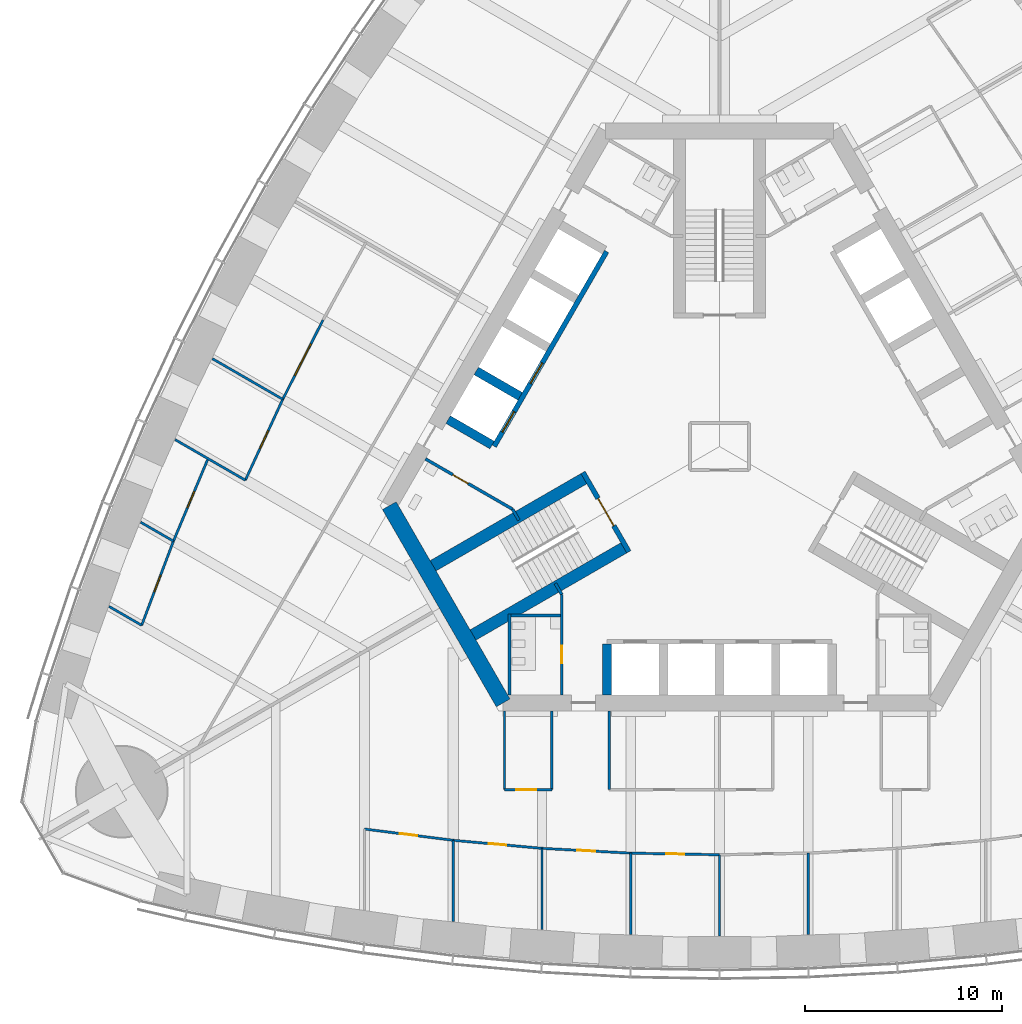
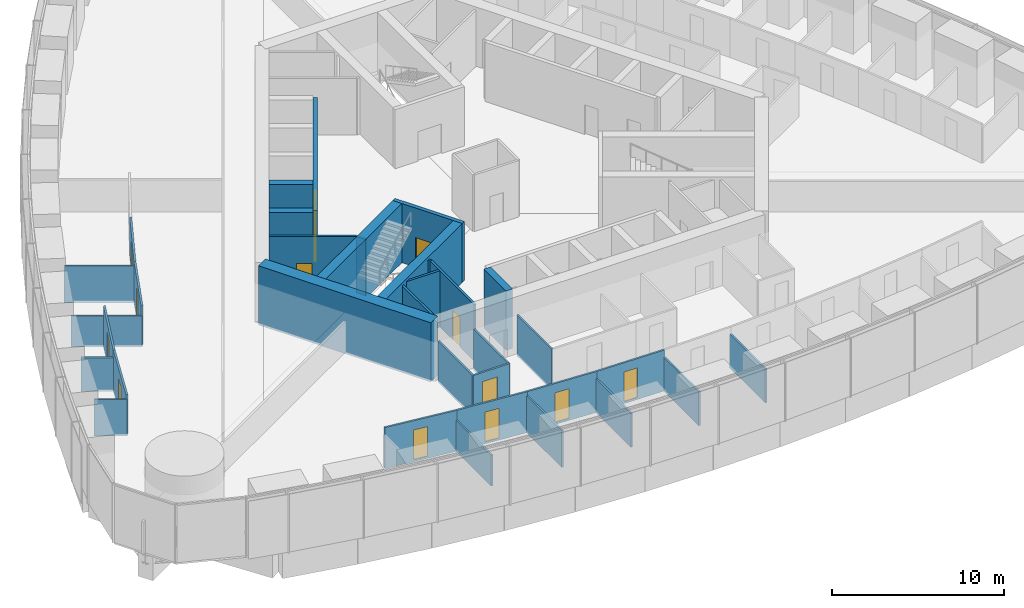
# One storey, part 11 of 20: 35 walls, 14 doors, 14 openings.
"""IFC4 building model written with IfcOpenShell, lengths in metres."""

from ifc_helpers import new_model, si_unit, direction, frame, frame_2d, origin, place, context, subcontext, project, spatial, rectangle, extrude, material, layer, layer_set, type_object, element, fill, save


model = new_model("IFC4")

# Units and contexts
model_context = context("Model", 3, precision=1e-05, world=origin(), true_north=direction((0.0, 1.0)))
body_context = subcontext(model_context, "Body", "Model", "MODEL_VIEW")
ifc_project = project(units=[si_unit("LENGTHUNIT", "METRE"), si_unit("AREAUNIT", "SQUARE_METRE"), si_unit("VOLUMEUNIT", "CUBIC_METRE"), si_unit("PLANEANGLEUNIT", "RADIAN"), si_unit("MASSUNIT", "GRAM", prefix="KILO")], contexts=[model_context])

# Site, building, storey
site_placement = place(None, origin())
site = spatial("IfcSite", under=ifc_project, at=site_placement, CompositionType="ELEMENT")
building_placement = place(site_placement, origin())
building = spatial("IfcBuilding", under=site, at=building_placement, Name="Trefoil Bronze Tower", CompositionType="ELEMENT")
storey_placement = place(building_placement, frame((0.0, 0.0, 103.10009765625)))
storey = spatial("IfcBuildingStorey", under=building, at=storey_placement, Name="L23", CompositionType="ELEMENT", Elevation=103.10009765625)

# Wall
ifc_material_1 = material(Name="Concrete B80", Category="concrete")
ifc_layer_1 = layer(ifc_material_1, 0.800048828125)
ifc_layer_set_1 = layer_set([ifc_layer_1], Name="Core wall 800")
wall_type_1 = type_object("IfcWallType", Name="Core wall 800", PredefinedType="SHEAR", material=ifc_layer_set_1)
wall_1_placement = place(storey_placement, frame((-16.7431640625, -3.0, 0.0), z_axis=(0.0, 0.0, 1.0), x_axis=(0.499995765644, -0.866027848477, 0.0)))
element("IfcWall", 1, at=wall_1_placement, inside=storey, type_object=wall_type_1, Name="Core short wall 3 L23", PredefinedType="SHEAR", context=body_context, shape_type="SweptSolid", body=[
    extrude(rectangle(XDim=11.546875, YDim=0.800048828125, at=frame_2d((5.7734375, 0.0))), origin(), (0.0, 0.0, 1.0), 4.199951171875),
])

# Wall, opening, door
ifc_material_2 = material(Name="Glazed partition", Category="glass")
ifc_layer_2 = layer(ifc_material_2, 0.1201171875)
ifc_layer_set_2 = layer_set([ifc_layer_2], Name="Glazed partition 120")
wall_type_2 = type_object("IfcWallType", Name="Glazed partition 120", PredefinedType="PARTITIONING", material=ifc_layer_set_2)
wall_2_placement = place(storey_placement, frame((-10.89990234375, -17.39990234375, 0.0), z_axis=(0.0, 0.0, 1.0), x_axis=(1.0, 0.0, 0.0)))
wall_2 = element("IfcWall", 2, at=wall_2_placement, inside=storey, type_object=wall_type_2, Name="Partition F1 L23", PredefinedType="PARTITIONING", context=body_context, shape_type="SweptSolid", body=[
    extrude(rectangle(XDim=2.39990234375, YDim=0.1201171875, at=frame_2d((1.199951171875, 0.0))), origin(), (0.0, 0.0, 1.0), 2.89990234375),
])
opening_1_placement = place(wall_2_placement, frame((0.60009765625, 0.0, 0.14990234375)))
opening_1 = element("IfcOpeningElement", 3, at=opening_1_placement, cuts=wall_2, Name="Opening D9", PredefinedType="OPENING", context=body_context, shape_type="SweptSolid", body=[
    extrude(rectangle(XDim=1.0, YDim=2.10009765625, at=frame_2d((0.5, 1.050048828125))), frame((0.0, 0.070068359375, 0.0), z_axis=(0.0, -1.0, 0.0), x_axis=(1.0, 0.0, 0.0)), (0.0, 0.0, 1.0), 0.14013671875),
])
ifc_material_3 = material(Name="Glazed timber door", Category="wood")
door_type_1 = type_object("IfcDoorType", Name="Meeting room door 1000", OperationType="SINGLE_SWING_LEFT", PredefinedType="DOOR", material=ifc_material_3)
door_1_placement = place(opening_1_placement, origin())
door_1 = element("IfcDoor", 4, at=door_1_placement, inside=storey, type_object=door_type_1, Name="Team room door F1 L23", OperationType="SINGLE_SWING_LEFT", OverallHeight=2.10009765625, OverallWidth=1.0, PredefinedType="DOOR", context=body_context, shape_type="SweptSolid", body=[
    extrude(rectangle(XDim=1.0, YDim=2.10009765625, at=frame_2d((0.5, 1.050048828125))), frame((0.0, 0.02490234375, 0.0), z_axis=(0.0, -1.0, 0.0), x_axis=(1.0, 0.0, 0.0)), (0.0, 0.0, 1.0), 0.050048828125),
])
fill(opening_1, door_1)

# Walls
for number, where, z_axis, x_axis, name in (
    (5, (-10.89990234375, -13.39990234375, 0.0), (0.0, 0.0, 1.0), (0.0, -1.0, 0.0), "Partition F1 L23"),
    (6, (-5.60009765625, -13.39990234375, 0.0), (0.0, 0.0, 1.0), (0.0, -1.0, 0.0), "Partition F1 L23"),
    (7, (-8.5, -13.39990234375, 0.0), (0.0, 0.0, 1.0), (0.0, -1.0, 0.0), "Partition F1 L23"),
):
    element("IfcWall", number, at=place(storey_placement, frame(where, z_axis=z_axis, x_axis=x_axis)), inside=storey, type_object=wall_type_2, Name=name, PredefinedType="PARTITIONING", context=body_context, shape_type="SweptSolid", body=[
        extrude(rectangle(XDim=4.0, YDim=0.1201171875, at=frame_2d((2.0, 0.0))), origin(), (0.0, 0.0, 1.0), 2.89990234375),
    ])

# Wall, opening, door
wall_3_placement = place(storey_placement, frame((-13.5, -19.9677734375, 0.0), z_axis=(0.0, 0.0, 1.0), x_axis=(0.995930325215, -0.090126507295, 0.0)))
wall_3 = element("IfcWall", 8, at=wall_3_placement, inside=storey, type_object=wall_type_2, Name="Partition F1 L23", PredefinedType="PARTITIONING", context=body_context, shape_type="SweptSolid", body=[
    extrude(rectangle(XDim=4.518310546875, YDim=0.1201171875, at=frame_2d((2.25927734375, 0.0))), origin(), (0.0, 0.0, 1.0), 2.89990234375),
])
opening_2_placement = place(wall_3_placement, frame((1.800048828125, 0.0, 0.14990234375)))
opening_2 = element("IfcOpeningElement", 9, at=opening_2_placement, cuts=wall_3, Name="Opening D8", PredefinedType="OPENING", context=body_context, shape_type="SweptSolid", body=[
    extrude(rectangle(XDim=0.89990234375, YDim=2.10009765625, at=frame_2d((0.449951171875, 1.050048828125))), frame((0.0, 0.070068359375, 0.0), z_axis=(0.0, -1.0, 0.0), x_axis=(1.0, 0.0, 0.0)), (0.0, 0.0, 1.0), 0.14013671875),
])
ifc_material_4 = material(Name="Timber door", Category="wood")
door_type_2 = type_object("IfcDoorType", Name="Office door 900", OperationType="SINGLE_SWING_LEFT", PredefinedType="DOOR", material=ifc_material_4)
door_2_placement = place(opening_2_placement, frame((0.89990234375, 0.0, 0.0), z_axis=(0.0, 0.0, 1.0), x_axis=(-1.0, 0.0, 0.0)))
door_2 = element("IfcDoor", 10, at=door_2_placement, inside=storey, type_object=door_type_2, Name="Office door F1 L23", OperationType="SINGLE_SWING_RIGHT", OverallHeight=2.10009765625, OverallWidth=0.89990234375, PredefinedType="DOOR", context=body_context, shape_type="SweptSolid", body=[
    extrude(rectangle(XDim=0.89990234375, YDim=2.10009765625, at=frame_2d((0.449951171875, 1.050048828125))), frame((0.0, 0.02490234375, 0.0), z_axis=(0.0, -1.0, 0.0), x_axis=(1.0, 0.0, 0.0)), (0.0, 0.0, 1.0), 0.050048828125),
])
fill(opening_2, door_2)

wall_4_placement = place(storey_placement, frame((-18.0, -19.3955078125, 0.0), z_axis=(0.0, 0.0, 1.0), x_axis=(0.992010652594, -0.12615413247, 0.0)))
wall_4 = element("IfcWall", 11, at=wall_4_placement, inside=storey, type_object=wall_type_2, Name="Partition F1 L23", PredefinedType="PARTITIONING", context=body_context, shape_type="SweptSolid", body=[
    extrude(rectangle(XDim=4.5361328125, YDim=0.1201171875, at=frame_2d((2.26806640625, 0.0))), origin(), (0.0, 0.0, 1.0), 2.89990234375),
])
opening_3_placement = place(wall_4_placement, frame((1.800048828125, 0.0, 0.14990234375)))
opening_3 = element("IfcOpeningElement", 12, at=opening_3_placement, cuts=wall_4, Name="Opening D8", PredefinedType="OPENING", context=body_context, shape_type="SweptSolid", body=[
    extrude(rectangle(XDim=0.89990234375, YDim=2.10009765625, at=frame_2d((0.449951171875, 1.050048828125))), frame((0.0, 0.070068359375, 0.0), z_axis=(0.0, -1.0, 0.0), x_axis=(1.0, 0.0, 0.0)), (0.0, 0.0, 1.0), 0.14013671875),
])
door_3_placement = place(opening_3_placement, frame((0.89990234375, 0.0, 0.0), z_axis=(0.0, 0.0, 1.0), x_axis=(-1.0, 0.0, 0.0)))
door_3 = element("IfcDoor", 13, at=door_3_placement, inside=storey, type_object=door_type_2, Name="Office door F1 L23", OperationType="SINGLE_SWING_RIGHT", OverallHeight=2.10009765625, OverallWidth=0.89990234375, PredefinedType="DOOR", context=body_context, shape_type="SweptSolid", body=[
    extrude(rectangle(XDim=0.89990234375, YDim=2.10009765625, at=frame_2d((0.449951171875, 1.050048828125))), frame((0.0, 0.02490234375, 0.0), z_axis=(0.0, -1.0, 0.0), x_axis=(1.0, 0.0, 0.0)), (0.0, 0.0, 1.0), 0.050048828125),
])
fill(opening_3, door_3)

wall_5_placement = place(storey_placement, frame((-4.5, -20.61865234375, 0.0), z_axis=(0.0, 0.0, 1.0), x_axis=(0.999837820638, -0.018009231578, 0.0)))
wall_5 = element("IfcWall", 14, at=wall_5_placement, inside=storey, type_object=wall_type_2, Name="Partition F1 L23", PredefinedType="PARTITIONING", context=body_context, shape_type="SweptSolid", body=[
    extrude(rectangle(XDim=4.500732421875, YDim=0.1201171875, at=frame_2d((2.25048828125, 0.0))), origin(), (0.0, 0.0, 1.0), 2.89990234375),
])
opening_4_placement = place(wall_5_placement, frame((1.800048828125, 0.0, 0.14990234375)))
opening_4 = element("IfcOpeningElement", 15, at=opening_4_placement, cuts=wall_5, Name="Opening D8", PredefinedType="OPENING", context=body_context, shape_type="SweptSolid", body=[
    extrude(rectangle(XDim=0.89990234375, YDim=2.10009765625, at=frame_2d((0.449951171875, 1.050048828125))), frame((0.0, 0.070068359375, 0.0), z_axis=(0.0, -1.0, 0.0), x_axis=(1.0, 0.0, 0.0)), (0.0, 0.0, 1.0), 0.14013671875),
])
door_4_placement = place(opening_4_placement, frame((0.89990234375, 0.0, 0.0), z_axis=(0.0, 0.0, 1.0), x_axis=(-1.0, 0.0, 0.0)))
door_4 = element("IfcDoor", 16, at=door_4_placement, inside=storey, type_object=door_type_2, Name="Office door F1 L23", OperationType="SINGLE_SWING_RIGHT", OverallHeight=2.10009765625, OverallWidth=0.89990234375, PredefinedType="DOOR", context=body_context, shape_type="SweptSolid", body=[
    extrude(rectangle(XDim=0.89990234375, YDim=2.10009765625, at=frame_2d((0.449951171875, 1.050048828125))), frame((0.0, 0.02490234375, 0.0), z_axis=(0.0, -1.0, 0.0), x_axis=(1.0, 0.0, 0.0)), (0.0, 0.0, 1.0), 0.050048828125),
])
fill(opening_4, door_4)

wall_6_placement = place(storey_placement, frame((-9.0, -20.375, 0.0), z_axis=(0.0, 0.0, 1.0), x_axis=(0.998537376538, -0.054065771581, 0.0)))
wall_6 = element("IfcWall", 17, at=wall_6_placement, inside=storey, type_object=wall_type_2, Name="Partition F1 L23", PredefinedType="PARTITIONING", context=body_context, shape_type="SweptSolid", body=[
    extrude(rectangle(XDim=4.506591796875, YDim=0.1201171875, at=frame_2d((2.25341796875, 0.0))), origin(), (0.0, 0.0, 1.0), 2.89990234375),
])
opening_5_placement = place(wall_6_placement, frame((1.800048828125, 0.0, 0.14990234375)))
opening_5 = element("IfcOpeningElement", 18, at=opening_5_placement, cuts=wall_6, Name="Opening D8", PredefinedType="OPENING", context=body_context, shape_type="SweptSolid", body=[
    extrude(rectangle(XDim=0.89990234375, YDim=2.10009765625, at=frame_2d((0.449951171875, 1.050048828125))), frame((0.0, 0.070068359375, 0.0), z_axis=(0.0, -1.0, 0.0), x_axis=(1.0, 0.0, 0.0)), (0.0, 0.0, 1.0), 0.14013671875),
])
door_5_placement = place(opening_5_placement, frame((0.89990234375, 0.0, 0.0), z_axis=(0.0, 0.0, 1.0), x_axis=(-1.0, 0.0, 0.0)))
door_5 = element("IfcDoor", 19, at=door_5_placement, inside=storey, type_object=door_type_2, Name="Office door F1 L23", OperationType="SINGLE_SWING_RIGHT", OverallHeight=2.10009765625, OverallWidth=0.89990234375, PredefinedType="DOOR", context=body_context, shape_type="SweptSolid", body=[
    extrude(rectangle(XDim=0.89990234375, YDim=2.10009765625, at=frame_2d((0.449951171875, 1.050048828125))), frame((0.0, 0.02490234375, 0.0), z_axis=(0.0, -1.0, 0.0), x_axis=(1.0, 0.0, 0.0)), (0.0, 0.0, 1.0), 0.050048828125),
])
fill(opening_5, door_5)

# Walls
wall_7_placement = place(storey_placement, frame((0.0, -20.69970703125, 0.0), z_axis=(0.0, 0.0, 1.0), x_axis=(0.0, -1.0, 0.0)))
element("IfcWall", 20, at=wall_7_placement, inside=storey, type_object=wall_type_2, Name="Partition F1 L23", PredefinedType="PARTITIONING", context=body_context, shape_type="SweptSolid", body=[
    extrude(rectangle(XDim=4.119873046875, YDim=0.1201171875, at=frame_2d((2.06005859375, 0.0))), origin(), (0.0, 0.0, 1.0), 2.39990234375),
])
wall_8_placement = place(storey_placement, frame((4.5, -20.61865234375, 0.0), z_axis=(0.0, 0.0, 1.0), x_axis=(0.0, -1.0, 0.0)))
element("IfcWall", 21, at=wall_8_placement, inside=storey, type_object=wall_type_2, Name="Partition F1 L23", PredefinedType="PARTITIONING", context=body_context, shape_type="SweptSolid", body=[
    extrude(rectangle(XDim=4.118896484375, YDim=0.1201171875, at=frame_2d((2.0595703125, 0.0))), origin(), (0.0, 0.0, 1.0), 2.39990234375),
])
wall_9_placement = place(storey_placement, frame((-13.5, -19.9677734375, 0.0), z_axis=(0.0, 0.0, 1.0), x_axis=(0.0, -1.0, 0.0)))
element("IfcWall", 22, at=wall_9_placement, inside=storey, type_object=wall_type_2, Name="Partition F1 L23", PredefinedType="PARTITIONING", context=body_context, shape_type="SweptSolid", body=[
    extrude(rectangle(XDim=4.1103515625, YDim=0.1201171875, at=frame_2d((2.05517578125, 0.0))), origin(), (0.0, 0.0, 1.0), 2.199951171875),
])
wall_10_placement = place(storey_placement, frame((-4.5, -20.61865234375, 0.0), z_axis=(0.0, 0.0, 1.0), x_axis=(0.0, -1.0, 0.0)))
element("IfcWall", 23, at=wall_10_placement, inside=storey, type_object=wall_type_2, Name="Partition F1 L23", PredefinedType="PARTITIONING", context=body_context, shape_type="SweptSolid", body=[
    extrude(rectangle(XDim=4.118896484375, YDim=0.1201171875, at=frame_2d((2.0595703125, 0.0))), origin(), (0.0, 0.0, 1.0), 2.39990234375),
])
wall_11_placement = place(storey_placement, frame((-9.0, -20.375, 0.0), z_axis=(0.0, 0.0, 1.0), x_axis=(0.0, -1.0, 0.0)))
element("IfcWall", 24, at=wall_11_placement, inside=storey, type_object=wall_type_2, Name="Partition F1 L23", PredefinedType="PARTITIONING", context=body_context, shape_type="SweptSolid", body=[
    extrude(rectangle(XDim=4.11572265625, YDim=0.1201171875, at=frame_2d((2.057861328125, 0.0))), origin(), (0.0, 0.0, 1.0), 2.599853515625),
])

# Wall, opening, door
wall_12_placement = place(storey_placement, frame((-25.934814453125, -0.614990234375, 0.0), z_axis=(0.0, 0.0, 1.0), x_axis=(-0.386762112496, -0.922179520667, 0.0)))
wall_12 = element("IfcWall", 25, at=wall_12_placement, inside=storey, type_object=wall_type_2, Name="Partition F3 L23", PredefinedType="PARTITIONING", context=body_context, shape_type="SweptSolid", body=[
    extrude(rectangle(XDim=4.5361328125, YDim=0.1201171875, at=frame_2d((2.26806640625, 0.0))), origin(), (0.0, 0.0, 1.0), 2.89990234375),
])
opening_6_placement = place(wall_12_placement, frame((1.800048828125, 0.0, 0.14990234375)))
opening_6 = element("IfcOpeningElement", 26, at=opening_6_placement, cuts=wall_12, Name="Opening D8", PredefinedType="OPENING", context=body_context, shape_type="SweptSolid", body=[
    extrude(rectangle(XDim=0.89990234375, YDim=2.10009765625, at=frame_2d((0.449951171875, 1.050048828125))), frame((0.0, 0.070068359375, 0.0), z_axis=(0.0, -1.0, 0.0), x_axis=(1.0, 0.0, 0.0)), (0.0, 0.0, 1.0), 0.14013671875),
])
door_6_placement = place(opening_6_placement, frame((0.89990234375, 0.0, 0.0), z_axis=(0.0, 0.0, 1.0), x_axis=(-1.0, 0.0, 0.0)))
door_6 = element("IfcDoor", 27, at=door_6_placement, inside=storey, type_object=door_type_2, Name="Print and store room door F3 L23", OperationType="SINGLE_SWING_RIGHT", OverallHeight=2.10009765625, OverallWidth=0.89990234375, PredefinedType="DOOR", context=body_context, shape_type="SweptSolid", body=[
    extrude(rectangle(XDim=0.89990234375, YDim=2.10009765625, at=frame_2d((0.449951171875, 1.050048828125))), frame((0.0, 0.02490234375, 0.0), z_axis=(0.0, -1.0, 0.0), x_axis=(1.0, 0.0, 0.0)), (0.0, 0.0, 1.0), 0.050048828125),
])
fill(opening_6, door_6)

wall_13_placement = place(storey_placement, frame((-27.689208984375, -4.798095703125, 0.0), z_axis=(0.0, 0.0, 1.0), x_axis=(-0.352941426142, -0.935645418795, 0.0)))
wall_13 = element("IfcWall", 28, at=wall_13_placement, inside=storey, type_object=wall_type_2, Name="Partition F3 L23", PredefinedType="PARTITIONING", context=body_context, shape_type="SweptSolid", body=[
    extrude(rectangle(XDim=4.560546875, YDim=0.1201171875, at=frame_2d((2.2802734375, 0.0))), origin(), (0.0, 0.0, 1.0), 2.89990234375),
])
opening_7_placement = place(wall_13_placement, frame((1.85009765625, 0.0, 0.14990234375)))
opening_7 = element("IfcOpeningElement", 29, at=opening_7_placement, cuts=wall_13, Name="Opening D8", PredefinedType="OPENING", context=body_context, shape_type="SweptSolid", body=[
    extrude(rectangle(XDim=0.89990234375, YDim=2.10009765625, at=frame_2d((0.449951171875, 1.050048828125))), frame((0.0, 0.070068359375, 0.0), z_axis=(0.0, -1.0, 0.0), x_axis=(1.0, 0.0, 0.0)), (0.0, 0.0, 1.0), 0.14013671875),
])
door_7_placement = place(opening_7_placement, frame((0.89990234375, 0.0, 0.0), z_axis=(0.0, 0.0, 1.0), x_axis=(-1.0, 0.0, 0.0)))
door_7 = element("IfcDoor", 30, at=door_7_placement, inside=storey, type_object=door_type_2, Name="Comms room door F3 L23", OperationType="SINGLE_SWING_LEFT", OverallHeight=2.10009765625, OverallWidth=0.89990234375, PredefinedType="DOOR", context=body_context, shape_type="SweptSolid", body=[
    extrude(rectangle(XDim=0.89990234375, YDim=2.10009765625, at=frame_2d((0.449951171875, 1.050048828125))), frame((0.0, 0.02490234375, 0.0), z_axis=(0.0, -1.0, 0.0), x_axis=(1.0, 0.0, 0.0)), (0.0, 0.0, 1.0), 0.050048828125),
])
fill(opening_7, door_7)

wall_14_placement = place(storey_placement, frame((-20.106201171875, 6.412109375, 0.0), z_axis=(0.0, 0.0, 1.0), x_axis=(-0.452471679136, -0.891778772779, 0.0)))
wall_14 = element("IfcWall", 31, at=wall_14_placement, inside=storey, type_object=wall_type_2, Name="Partition F3 L23", PredefinedType="PARTITIONING", context=body_context, shape_type="SweptSolid", body=[
    extrude(rectangle(XDim=4.506591796875, YDim=0.1201171875, at=frame_2d((2.25341796875, 0.0))), origin(), (0.0, 0.0, 1.0), 2.89990234375),
])
opening_8_placement = place(wall_14_placement, frame((1.35009765625, 0.0, 0.14990234375)))
opening_8 = element("IfcOpeningElement", 32, at=opening_8_placement, cuts=wall_14, Name="Opening D10", PredefinedType="OPENING", context=body_context, shape_type="SweptSolid", body=[
    extrude(rectangle(XDim=1.800048828125, YDim=2.10009765625, at=frame_2d((0.89990234375, 1.050048828125))), frame((0.0, 0.070068359375, 0.0), z_axis=(0.0, -1.0, 0.0), x_axis=(1.0, 0.0, 0.0)), (0.0, 0.0, 1.0), 0.14013671875),
])
ifc_material_5 = material(Name="Timber door", Category="wood")
door_type_3 = type_object("IfcDoorType", Name="Double door 1800", OperationType="DOUBLE_DOOR_SINGLE_SWING", PredefinedType="DOOR", material=ifc_material_5)
door_8_placement = place(opening_8_placement, frame((1.800048828125, 0.0, 0.0), z_axis=(0.0, 0.0, 1.0), x_axis=(-1.0, 0.0, 0.0)))
door_8 = element("IfcDoor", 33, at=door_8_placement, inside=storey, type_object=door_type_3, Name="Library door F3 L23", OperationType="DOUBLE_DOOR_SINGLE_SWING", OverallHeight=2.10009765625, OverallWidth=1.800048828125, PredefinedType="DOOR", context=body_context, shape_type="SweptSolid", body=[
    extrude(rectangle(XDim=1.800048828125, YDim=2.10009765625, at=frame_2d((0.89990234375, 1.050048828125))), frame((0.0, 0.02490234375, 0.0), z_axis=(0.0, -1.0, 0.0), x_axis=(1.0, 0.0, 0.0)), (0.0, 0.0, 1.0), 0.050048828125),
])
fill(opening_8, door_8)

wall_15_placement = place(storey_placement, frame((-22.145263671875, 2.393310546875, 0.0), z_axis=(0.0, 0.0, 1.0), x_axis=(-0.41992827805, -0.90755729367, 0.0)))
wall_15 = element("IfcWall", 34, at=wall_15_placement, inside=storey, type_object=wall_type_2, Name="Partition F3 L23", PredefinedType="PARTITIONING", context=body_context, shape_type="SweptSolid", body=[
    extrude(rectangle(XDim=4.5185546875, YDim=0.1201171875, at=frame_2d((2.25927734375, 0.0))), origin(), (0.0, 0.0, 1.0), 2.89990234375),
])
opening_9_placement = place(wall_15_placement, frame((1.75, 0.0, 0.14990234375)))
opening_9 = element("IfcOpeningElement", 35, at=opening_9_placement, cuts=wall_15, Name="Opening D9", PredefinedType="OPENING", context=body_context, shape_type="SweptSolid", body=[
    extrude(rectangle(XDim=1.0, YDim=2.10009765625, at=frame_2d((0.5, 1.050048828125))), frame((0.0, 0.070068359375, 0.0), z_axis=(0.0, -1.0, 0.0), x_axis=(1.0, 0.0, 0.0)), (0.0, 0.0, 1.0), 0.14013671875),
])
door_9_placement = place(opening_9_placement, frame((1.0, 0.0, 0.0), z_axis=(0.0, 0.0, 1.0), x_axis=(-1.0, 0.0, 0.0)))
door_9 = element("IfcDoor", 36, at=door_9_placement, inside=storey, type_object=door_type_1, Name="Meeting room door F3 L23", OperationType="SINGLE_SWING_RIGHT", OverallHeight=2.10009765625, OverallWidth=1.0, PredefinedType="DOOR", context=body_context, shape_type="SweptSolid", body=[
    extrude(rectangle(XDim=1.0, YDim=2.10009765625, at=frame_2d((0.5, 1.050048828125))), frame((0.0, 0.02490234375, 0.0), z_axis=(0.0, -1.0, 0.0), x_axis=(1.0, 0.0, 0.0)), (0.0, 0.0, 1.0), 0.050048828125),
])
fill(opening_9, door_9)

# Walls
wall_16_placement = place(storey_placement, frame((-24.042724609375, -1.70751953125, 0.0), z_axis=(0.0, 0.0, 1.0), x_axis=(-0.866019409031, 0.500010383074, 0.0)))
element("IfcWall", 37, at=wall_16_placement, inside=storey, type_object=wall_type_2, Name="Partition F3 L23", PredefinedType="PARTITIONING", context=body_context, shape_type="SweptSolid", body=[
    extrude(rectangle(XDim=4.1103515625, YDim=0.1201171875, at=frame_2d((2.05517578125, 0.0))), origin(), (0.0, 0.0, 1.0), 2.199951171875),
])
wall_17_placement = place(storey_placement, frame((-27.689208984375, -4.798095703125, 0.0), z_axis=(0.0, 0.0, 1.0), x_axis=(-0.866041454758, 0.499972197867, 0.0)))
element("IfcWall", 38, at=wall_17_placement, inside=storey, type_object=wall_type_2, Name="Partition F3 L23", PredefinedType="PARTITIONING", context=body_context, shape_type="SweptSolid", body=[
    extrude(rectangle(XDim=1.91796875, YDim=0.1201171875, at=frame_2d((0.958984375, 0.0))), origin(), (0.0, 0.0, 1.0), 2.39990234375),
])
wall_18_placement = place(storey_placement, frame((-29.298828125, -9.065185546875, 0.0), z_axis=(0.0, 0.0, 1.0), x_axis=(-0.865998066356, 0.500047346826, 0.0)))
element("IfcWall", 39, at=wall_18_placement, inside=storey, type_object=wall_type_2, Name="Partition F3 L23", PredefinedType="PARTITIONING", context=body_context, shape_type="SweptSolid", body=[
    extrude(rectangle(XDim=1.907958984375, YDim=0.1201171875, at=frame_2d((0.9541015625, 0.0))), origin(), (0.0, 0.0, 1.0), 2.599853515625),
])
wall_19_placement = place(storey_placement, frame((-22.145263671875, 2.393310546875, 0.0), z_axis=(0.0, 0.0, 1.0), x_axis=(-0.866018637367, 0.500011719595, 0.0)))
element("IfcWall", 40, at=wall_19_placement, inside=storey, type_object=wall_type_2, Name="Partition F3 L23", PredefinedType="PARTITIONING", context=body_context, shape_type="SweptSolid", body=[
    extrude(rectangle(XDim=4.11572265625, YDim=0.1201171875, at=frame_2d((2.057861328125, 0.0))), origin(), (0.0, 0.0, 1.0), 2.599853515625),
])
ifc_material_6 = material(Name="Concrete B80", Category="concrete")
ifc_layer_3 = layer(ifc_material_6, 0.449951171875)
ifc_layer_set_3 = layer_set([ifc_layer_3], Name="Outrigger shaft wall 450")
wall_type_3 = type_object("IfcWallType", Name="Outrigger shaft wall 450", PredefinedType="SHEAR", material=ifc_layer_set_3)
wall_20_placement = place(storey_placement, frame((-5.699951171875, -10.02490234375, 0.0), z_axis=(0.0, 0.0, 1.0), x_axis=(0.0, -1.0, 0.0)))
element("IfcWall", 41, at=wall_20_placement, inside=storey, type_object=wall_type_3, Name="Lift shaft side wall A0 L23", PredefinedType="SHEAR", context=body_context, shape_type="SweptSolid", body=[
    extrude(rectangle(XDim=2.5751953125, YDim=0.449951171875, at=frame_2d((1.28759765625, 0.0))), origin(), (0.0, 0.0, 1.0), 4.199951171875),
])
for number, where, z_axis, x_axis, name in (
    (42, (-10.10693359375, 2.54443359375, 0.0), (0.0, 0.0, 1.0), (-0.866046643894, 0.499963209246, 0.0), "Lift shaft side wall C3 L23"),
    (43, (-11.531982421875, 0.076171875, 0.0), (0.0, 0.0, 1.0), (-0.866005588531, 0.500034319456, 0.0), "Lift shaft side wall C4 L23"),
):
    element("IfcWall", number, at=place(storey_placement, frame(where, z_axis=z_axis, x_axis=x_axis)), inside=storey, type_object=wall_type_3, Name=name, PredefinedType="SHEAR", context=body_context, shape_type="SweptSolid", body=[
        extrude(rectangle(XDim=2.574951171875, YDim=0.449951171875, at=frame_2d((1.28759765625, 0.0))), origin(), (0.0, 0.0, 1.0), 4.199951171875),
    ])

# Wall, opening, door
ifc_material_7 = material(Name="Gypsum board on steel studs", Category="steel")
ifc_layer_4 = layer(ifc_material_7, 0.14990234375)
ifc_layer_set_4 = layer_set([ifc_layer_4], Name="Partition 150")
wall_type_4 = type_object("IfcWallType", Name="Partition 150", PredefinedType="PARTITIONING", material=ifc_layer_set_4)
wall_21_placement = place(storey_placement, frame((-8.0, -7.5, 0.0), z_axis=(0.0, 0.0, 1.0), x_axis=(0.0, -1.0, 0.0)))
wall_21 = element("IfcWall", 44, at=wall_21_placement, inside=storey, type_object=wall_type_4, Name="Passage wall F1- L23", PredefinedType="PARTITIONING", context=body_context, shape_type="SweptSolid", body=[
    extrude(rectangle(XDim=5.10009765625, YDim=0.14990234375, at=frame_2d((2.550048828125, 0.0))), origin(), (0.0, 0.0, 1.0), 4.0),
])
opening_10_placement = place(wall_21_placement, frame((2.60009765625, 0.0, 0.0)))
opening_10 = element("IfcOpeningElement", 45, at=opening_10_placement, cuts=wall_21, Name="Opening D3", PredefinedType="OPENING", context=body_context, shape_type="SweptSolid", body=[
    extrude(rectangle(XDim=0.89990234375, YDim=2.10009765625, at=frame_2d((0.449951171875, 1.050048828125))), frame((0.0, 0.0849609375, 0.0), z_axis=(0.0, -1.0, 0.0), x_axis=(1.0, 0.0, 0.0)), (0.0, 0.0, 1.0), 0.169921875),
])
ifc_material_8 = material(Name="Timber door", Category="wood")
door_type_4 = type_object("IfcDoorType", Name="WC door 900", OperationType="SINGLE_SWING_LEFT", PredefinedType="DOOR", material=ifc_material_8)
door_10_placement = place(opening_10_placement, frame((0.89990234375, 0.0, 0.0), z_axis=(0.0, 0.0, 1.0), x_axis=(-1.0, 0.0, 0.0)))
door_10 = element("IfcDoor", 46, at=door_10_placement, inside=storey, type_object=door_type_4, Name="WC (women) door L23", OperationType="SINGLE_SWING_RIGHT", OverallHeight=2.10009765625, OverallWidth=0.89990234375, PredefinedType="DOOR", context=body_context, shape_type="SweptSolid", body=[
    extrude(rectangle(XDim=0.89990234375, YDim=2.10009765625, at=frame_2d((0.449951171875, 1.050048828125))), frame((0.0, 0.02490234375, 0.0), z_axis=(0.0, -1.0, 0.0), x_axis=(1.0, 0.0, 0.0)), (0.0, 0.0, 1.0), 0.050048828125),
])
fill(opening_10, door_10)

wall_22_placement = place(storey_placement, frame((-10.4951171875, -3.17822265625, 0.0), z_axis=(0.0, 0.0, 1.0), x_axis=(-0.86602216432, 0.500005610874, 0.0)))
wall_22 = element("IfcWall", 47, at=wall_22_placement, inside=storey, type_object=wall_type_4, Name="Passage wall F3+ L23", PredefinedType="PARTITIONING", context=body_context, shape_type="SweptSolid", body=[
    extrude(rectangle(XDim=5.10009765625, YDim=0.14990234375, at=frame_2d((2.550048828125, 0.0))), origin(), (0.0, 0.0, 1.0), 4.0),
])
opening_11_placement = place(wall_22_placement, frame((2.60009765625, 0.0, 0.0)))
opening_11 = element("IfcOpeningElement", 48, at=opening_11_placement, cuts=wall_22, Name="Opening D3", PredefinedType="OPENING", context=body_context, shape_type="SweptSolid", body=[
    extrude(rectangle(XDim=0.89990234375, YDim=2.10009765625, at=frame_2d((0.449951171875, 1.050048828125))), frame((0.0, 0.0849609375, 0.0), z_axis=(0.0, -1.0, 0.0), x_axis=(1.0, 0.0, 0.0)), (0.0, 0.0, 1.0), 0.169921875),
])
door_11_placement = place(opening_11_placement, origin())
door_11 = element("IfcDoor", 49, at=door_11_placement, inside=storey, type_object=door_type_4, Name="Accessible WC door L23", OperationType="SINGLE_SWING_RIGHT", OverallHeight=2.10009765625, OverallWidth=0.89990234375, PredefinedType="DOOR", context=body_context, shape_type="SweptSolid", body=[
    extrude(rectangle(XDim=0.89990234375, YDim=2.10009765625, at=frame_2d((0.449951171875, 1.050048828125))), frame((0.0, 0.02490234375, 0.0), z_axis=(0.0, -1.0, 0.0), x_axis=(1.0, 0.0, 0.0)), (0.0, 0.0, 1.0), 0.050048828125),
])
fill(opening_11, door_11)

# Walls
for number, where, z_axis, x_axis, name in (
    (50, (-10.4951171875, -3.17822265625, 0.0), (0.0, 0.0, 1.0), (0.499842556608, -0.866116284689, 0.0), "WC wall ST3-1 L23"),
    (51, (-8.0, -7.5, 0.0), (0.0, 0.0, 1.0), (-0.499842556608, 0.866116284689, 0.0), "WC wall ST3+1 L23"),
):
    element("IfcWall", number, at=place(storey_placement, frame(where, z_axis=z_axis, x_axis=x_axis)), inside=storey, type_object=wall_type_4, Name=name, PredefinedType="PARTITIONING", context=body_context, shape_type="SweptSolid", body=[
        extrude(rectangle(XDim=0.645263671875, YDim=0.14990234375, at=frame_2d((0.32275390625, 0.0))), origin(), (0.0, 0.0, 1.0), 4.0),
    ])
wall_23_placement = place(storey_placement, frame((-10.659912109375, -8.5, 0.0), z_axis=(0.0, 0.0, 1.0), x_axis=(0.0, -1.0, 0.0)))
element("IfcWall", 52, at=wall_23_placement, inside=storey, type_object=wall_type_4, Name="WC partition WC (women) L23", PredefinedType="PARTITIONING", context=body_context, shape_type="SweptSolid", body=[
    extrude(rectangle(XDim=4.10009765625, YDim=0.14990234375, at=frame_2d((2.050048828125, 0.0))), origin(), (0.0, 0.0, 1.0), 4.0),
])
wall_24_placement = place(storey_placement, frame((-8.074951171875, -8.574951171875, 0.0), z_axis=(0.0, 0.0, 1.0), x_axis=(-1.0, 0.0, 0.0)))
element("IfcWall", 53, at=wall_24_placement, inside=storey, type_object=wall_type_4, Name="WC partition WC (women) L23", PredefinedType="PARTITIONING", context=body_context, shape_type="SweptSolid", body=[
    extrude(rectangle(XDim=2.510009765625, YDim=0.14990234375, at=frame_2d((1.2548828125, 0.0))), origin(), (0.0, 0.0, 1.0), 4.0),
])

# Wall, openings, doors
ifc_material_9 = material(Name="Concrete B80", Category="concrete")
ifc_layer_5 = layer(ifc_material_9, 0.25)
ifc_layer_set_5 = layer_set([ifc_layer_5], Name="Shaft wall 250")
wall_type_5 = type_object("IfcWallType", Name="Shaft wall 250", PredefinedType="SHEAR", material=ifc_layer_set_5)
wall_25_placement = place(storey_placement, frame((-5.7236328125, 9.88623046875, 0.0), z_axis=(0.0, 0.0, 1.0), x_axis=(-0.500001763848, -0.866024385424, 0.0)))
wall_25 = element("IfcWall", 54, at=wall_25_placement, inside=storey, type_object=wall_type_5, Name="Lift shaft front wall C L23", PredefinedType="SHEAR", context=body_context, shape_type="SweptSolid", body=[
    extrude(rectangle(XDim=11.39990234375, YDim=0.25, at=frame_2d((5.699951171875, 0.0))), origin(), (0.0, 0.0, 1.0), 4.199951171875),
])
opening_12_placement = place(wall_25_placement, frame((6.52490234375, 0.0, 0.0)))
opening_12 = element("IfcOpeningElement", 55, at=opening_12_placement, cuts=wall_25, Name="Opening LD-FL1", PredefinedType="OPENING", context=body_context, shape_type="SweptSolid", body=[
    extrude(rectangle(XDim=1.199951171875, YDim=2.199951171875, at=frame_2d((0.60009765625, 1.10009765625))), frame((0.0, 0.135009765625, 0.0), z_axis=(0.0, -1.0, 0.0), x_axis=(1.0, 0.0, 0.0)), (0.0, 0.0, 1.0), 0.27001953125),
])
opening_13_placement = place(wall_25_placement, frame((9.375, 0.0, 0.0)))
opening_13 = element("IfcOpeningElement", 56, at=opening_13_placement, cuts=wall_25, Name="Opening LD-FL2", PredefinedType="OPENING", context=body_context, shape_type="SweptSolid", body=[
    extrude(rectangle(XDim=1.199951171875, YDim=2.199951171875, at=frame_2d((0.60009765625, 1.10009765625))), frame((0.0, 0.135009765625, 0.0), z_axis=(0.0, -1.0, 0.0), x_axis=(1.0, 0.0, 0.0)), (0.0, 0.0, 1.0), 0.27001953125),
])
ifc_material_10 = material(Name="Steel door", Category="steel")
door_type_5 = type_object("IfcDoorType", Name="Lift landing door 1200", OperationType="DOUBLE_DOOR_SLIDING", PredefinedType="DOOR", material=ifc_material_10)
door_12_placement = place(opening_12_placement, origin())
door_12 = element("IfcDoor", 57, at=door_12_placement, inside=storey, type_object=door_type_5, Name="Lift FL1 landing door L23", OperationType="DOUBLE_DOOR_SLIDING", OverallHeight=2.199951171875, OverallWidth=1.199951171875, PredefinedType="DOOR", context=body_context, shape_type="SweptSolid", body=[
    extrude(rectangle(XDim=1.199951171875, YDim=2.199951171875, at=frame_2d((0.60009765625, 1.10009765625))), frame((0.0, 0.02490234375, 0.0), z_axis=(0.0, -1.0, 0.0), x_axis=(1.0, 0.0, 0.0)), (0.0, 0.0, 1.0), 0.050048828125),
])
fill(opening_12, door_12)
door_13_placement = place(opening_13_placement, origin())
door_13 = element("IfcDoor", 58, at=door_13_placement, inside=storey, type_object=door_type_5, Name="Lift FL2 landing door L23", OperationType="DOUBLE_DOOR_SLIDING", OverallHeight=2.199951171875, OverallWidth=1.199951171875, PredefinedType="DOOR", context=body_context, shape_type="SweptSolid", body=[
    extrude(rectangle(XDim=1.199951171875, YDim=2.199951171875, at=frame_2d((0.60009765625, 1.10009765625))), frame((0.0, 0.02490234375, 0.0), z_axis=(0.0, -1.0, 0.0), x_axis=(1.0, 0.0, 0.0)), (0.0, 0.0, 1.0), 0.050048828125),
])
fill(opening_13, door_13)

# Wall, opening, door
wall_26_placement = place(storey_placement, frame((-6.921630859375, -1.3115234375, 0.0), z_axis=(0.0, 0.0, 1.0), x_axis=(0.499984536904, -0.866034331223, 0.0)))
wall_26 = element("IfcWall", 59, at=wall_26_placement, inside=storey, type_object=wall_type_5, Name="Stair end wall ST3 L23", PredefinedType="SHEAR", context=body_context, shape_type="SweptSolid", body=[
    extrude(rectangle(XDim=4.650146484375, YDim=0.25, at=frame_2d((2.3251953125, 0.0))), origin(), (0.0, 0.0, 1.0), 4.199951171875),
])
opening_14_placement = place(wall_26_placement, frame((1.52490234375, 0.0, 0.0)))
opening_14 = element("IfcOpeningElement", 60, at=opening_14_placement, cuts=wall_26, Name="Opening D1", PredefinedType="OPENING", context=body_context, shape_type="SweptSolid", body=[
    extrude(rectangle(XDim=1.60009765625, YDim=2.10009765625, at=frame_2d((0.800048828125, 1.050048828125))), frame((0.0, 0.135009765625, 0.0), z_axis=(0.0, -1.0, 0.0), x_axis=(1.0, 0.0, 0.0)), (0.0, 0.0, 1.0), 0.27001953125),
])
ifc_material_11 = material(Name="Steel door", Category="steel")
door_type_6 = type_object("IfcDoorType", Name="Stair door 1600", OperationType="DOUBLE_DOOR_SINGLE_SWING", PredefinedType="DOOR", material=ifc_material_11)
door_14_placement = place(opening_14_placement, frame((1.60009765625, 0.0, 0.0), z_axis=(0.0, 0.0, 1.0), x_axis=(-1.0, 0.0, 0.0)))
door_14 = element("IfcDoor", 61, at=door_14_placement, inside=storey, type_object=door_type_6, Name="Stair door ST3 L23", OperationType="DOUBLE_DOOR_SINGLE_SWING", OverallHeight=2.10009765625, OverallWidth=1.60009765625, PredefinedType="DOOR", context=body_context, shape_type="SweptSolid", body=[
    extrude(rectangle(XDim=1.60009765625, YDim=2.10009765625, at=frame_2d((0.800048828125, 1.050048828125))), frame((0.0, 0.02490234375, 0.0), z_axis=(0.0, -1.0, 0.0), x_axis=(1.0, 0.0, 0.0)), (0.0, 0.0, 1.0), 0.050048828125),
])
fill(opening_14, door_14)

# Walls
ifc_material_12 = material(Name="Concrete B80", Category="concrete")
ifc_layer_6 = layer(ifc_material_12, 0.60009765625)
ifc_layer_set_6 = layer_set([ifc_layer_6], Name="Stair wall 600")
wall_type_6 = type_object("IfcWallType", Name="Stair wall 600", PredefinedType="SHEAR", material=ifc_layer_set_6)
for number, where, z_axis, x_axis, name in (
    (62, (-6.663330078125, -1.5087890625, 0.0), (0.0, 0.0, 1.0), (-0.866019375473, -0.500010441196, 0.0), "Stair wall ST3 L23"),
    (63, (-4.638427734375, -5.01611328125, 0.0), (0.0, 0.0, 1.0), (-0.866019375473, -0.500010441196, 0.0), "Stair wall ST3 L23"),
):
    element("IfcWall", number, at=place(storey_placement, frame(where, z_axis=z_axis, x_axis=x_axis)), inside=storey, type_object=wall_type_6, Name=name, PredefinedType="SHEAR", context=body_context, shape_type="SweptSolid", body=[
        extrude(rectangle(XDim=9.074951171875, YDim=0.60009765625, at=frame_2d((4.53759765625, 0.0))), origin(), (0.0, 0.0, 1.0), 4.199951171875),
    ])

save(model, "model.ifc")
